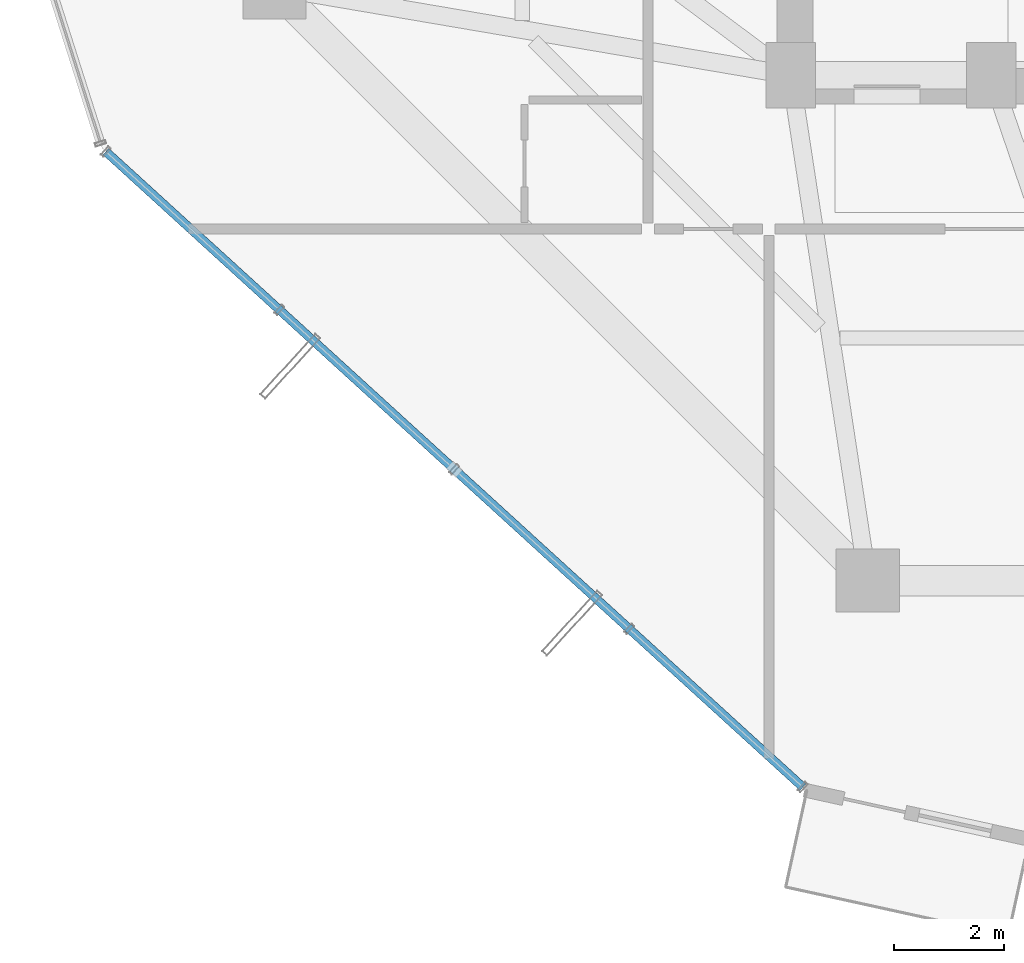
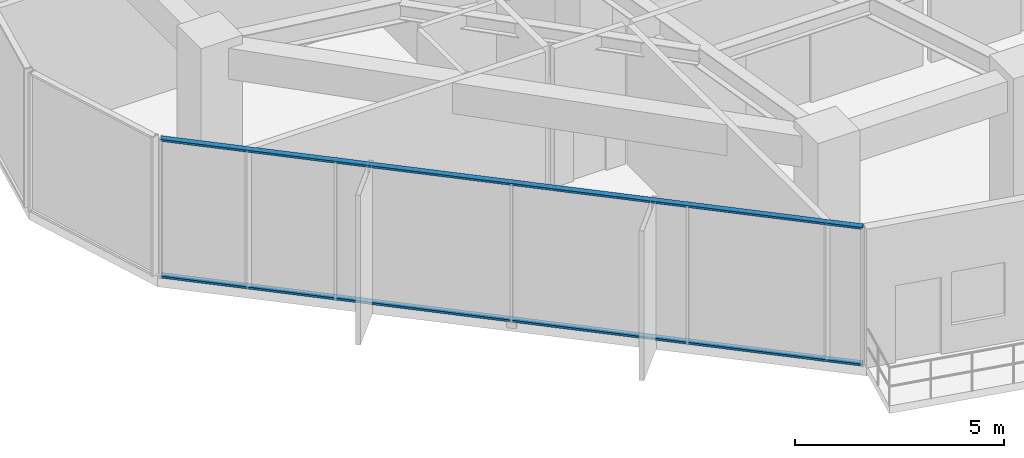
# One storey, part 3 of 28: 2 members, 1 element without a shape of its own.
"""IFC4 building model written with IfcOpenShell, lengths in metres."""

from ifc_helpers import new_model, si_unit, direction, frame, origin, origin_2d, place, context, subcontext, project, spatial, hollow_rectangle, extrude, source, transform, mapped, material, layer, layer_set, material_profile, profile_set, type_object, element, aggregate, save


model = new_model("IFC4")

# Units and contexts
model_context = context("Model", 3, precision=1e-05, world=origin(), true_north=direction((0.0, 1.0)))
body_context = subcontext(model_context, "Body", "Model", "MODEL_VIEW")
ifc_project = project(units=[si_unit("LENGTHUNIT", "METRE"), si_unit("AREAUNIT", "SQUARE_METRE"), si_unit("VOLUMEUNIT", "CUBIC_METRE"), si_unit("PLANEANGLEUNIT", "RADIAN"), si_unit("MASSUNIT", "GRAM", prefix="KILO")], contexts=[model_context])

# Site, building, storey
site_placement = place(None, origin())
site = spatial("IfcSite", under=ifc_project, at=site_placement, CompositionType="ELEMENT")
building_placement = place(site_placement, origin())
building = spatial("IfcBuilding", under=site, at=building_placement, Name="Veraguas Prism Commons", CompositionType="ELEMENT")
storey_placement = place(building_placement, frame((0.0, 0.0, 85.14990234375)))
storey = spatial("IfcBuildingStorey", under=building, at=storey_placement, Name="L23", CompositionType="ELEMENT", Elevation=85.14990234375)

# Curtain wall, members
ifc_material = material(Name="Anodised aluminium EN AW-6063 T6", Category="aluminium")
ifc_layer = layer(ifc_material, 0.199951171875, Name="Sky Lobby and Pool Acoustic Curtain Wall", Category="aluminium")
ifc_layer_set = layer_set([ifc_layer], Name="Anodised aluminium EN AW-6063 T6")
curtain_wall_type = type_object("IfcCurtainWallType", Name="Sky Lobby and Pool Acoustic Curtain Wall", PredefinedType="NOTDEFINED", material=ifc_layer_set)
curtain_wall_placement = place(storey_placement, origin())
curtain_wall = element("IfcCurtainWall", 1, at=curtain_wall_placement, inside=storey, type_object=curtain_wall_type, Name="Tower Facade Curtain Wall L23-F4", PredefinedType="NOTDEFINED")
ifc_material_profile = material_profile(ifc_material, hollow_rectangle(XDim=0.06005859375, YDim=0.159912109375, WallThickness=0.0029296875, at=origin_2d()), Name="AL60X160X3")
ifc_profile_set = profile_set([ifc_material_profile], Name="Anodised aluminium EN AW-6063 T6")
member_type = type_object("IfcMemberType", Name="Curtain Wall Transom Heavy AL 60x160x3", PredefinedType="USERDEFINED", material=ifc_profile_set)
shared_shape = source(origin(), body_context, "Body", "SweptSolid", [
    extrude(hollow_rectangle(XDim=0.06005859375, YDim=0.159912109375, WallThickness=0.0029296875, at=origin_2d()), origin(), (0.0, 0.0, 1.0), 17.16943359375),
])
member_1_placement = place(storey_placement, frame((4.731689453125, 15.60986328125, 0.030029296875), z_axis=(0.738925859504, -0.673786742343, 0.0), x_axis=(0.0, 0.0, 1.0)))
member_1 = element("IfcMember", 2, at=member_1_placement, type_object=member_type, Name="CW-SKY Transom 1", ObjectType="TRANSOM", PredefinedType="USERDEFINED", context=body_context, shape_type="MappedRepresentation", body=[
    mapped(shared_shape, transform((0.0, 0.0, 0.0), scale=1.0)),
])
member_2_placement = place(storey_placement, frame((4.731689453125, 15.60986328125, 4.02001953125), z_axis=(0.738925859504, -0.673786742343, 0.0), x_axis=(0.0, 0.0, 1.0)))
member_2 = element("IfcMember", 3, at=member_2_placement, type_object=member_type, Name="CW-SKY Transom 2", ObjectType="TRANSOM", PredefinedType="USERDEFINED", context=body_context, shape_type="MappedRepresentation", body=[
    mapped(shared_shape, transform((0.0, 0.0, 0.0), scale=1.0)),
])
aggregate(curtain_wall, [member_1, member_2])

save(model, "model.ifc")
